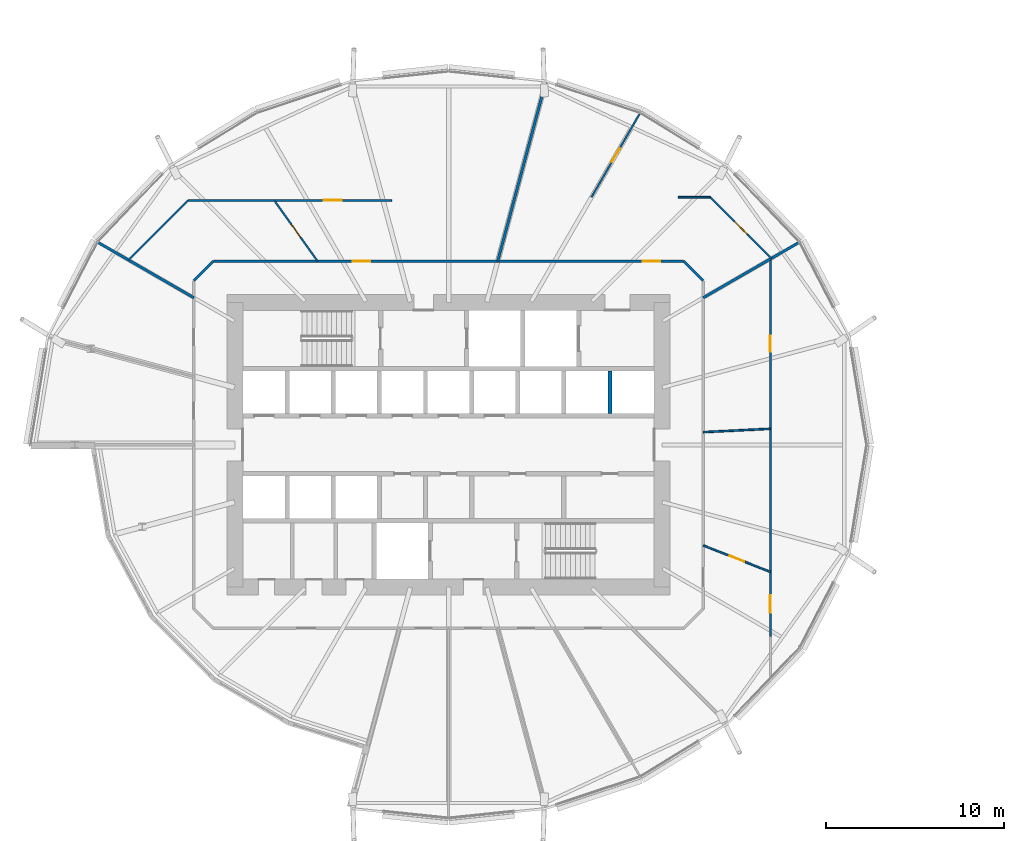
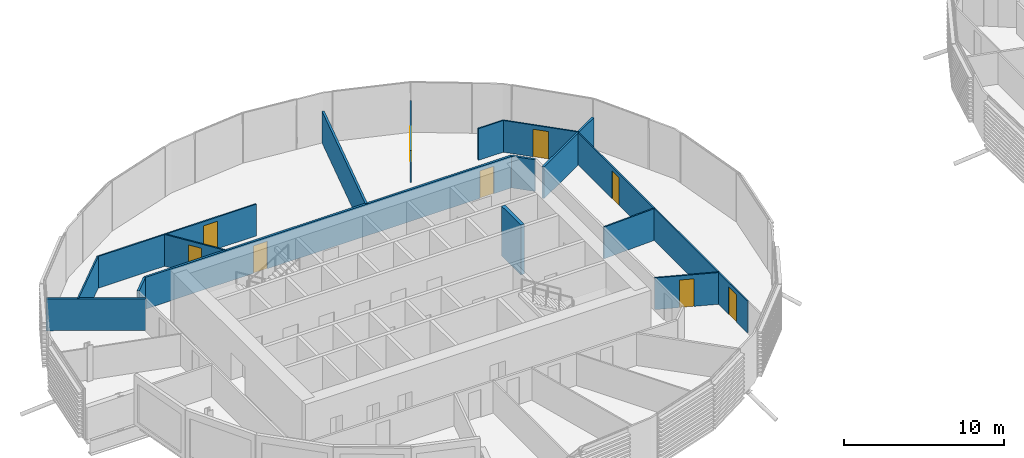
# One storey, part 22 of 38: 16 walls, 9 doors, 9 openings.
"""IFC4 building model written with IfcOpenShell, lengths in metres."""

from ifc_helpers import new_model, si_unit, direction, frame, frame_2d, origin, place, context, subcontext, project, spatial, rectangle, extrude, material, layer, layer_set, type_object, element, fill, save


model = new_model("IFC4")

# Units and contexts
model_context = context("Model", 3, precision=1e-05, world=origin(), true_north=direction((0.0, 1.0)))
body_context = subcontext(model_context, "Body", "Model", "MODEL_VIEW")
ifc_project = project(units=[si_unit("LENGTHUNIT", "METRE"), si_unit("AREAUNIT", "SQUARE_METRE"), si_unit("VOLUMEUNIT", "CUBIC_METRE"), si_unit("PLANEANGLEUNIT", "RADIAN"), si_unit("MASSUNIT", "GRAM", prefix="KILO")], contexts=[model_context])

# Site, building, storey
site_placement = place(None, origin())
site = spatial("IfcSite", under=ifc_project, at=site_placement, CompositionType="ELEMENT")
building_placement = place(site_placement, origin())
building = spatial("IfcBuilding", under=site, at=building_placement, Name="Rimbun Link Towers", CompositionType="ELEMENT")
storey_placement = place(building_placement, frame((0.0, 0.0, 68.0)))
storey = spatial("IfcBuildingStorey", under=building, at=storey_placement, Name="L16", CompositionType="ELEMENT", Elevation=68.0)

# Wall, openings, doors
ifc_material_1 = material(Name="Plasterboard on steel stud, mineral wool", Category="steel")
ifc_layer_1 = layer(ifc_material_1, 0.14990234375)
ifc_layer_set_1 = layer_set([ifc_layer_1], Name="Corridor wall EI 30 150 mm")
wall_type_1 = type_object("IfcWallType", Name="Corridor wall EI 30 150 mm", PredefinedType="PARTITIONING", material=ifc_layer_set_1)
wall_1_placement = place(storey_placement, frame((-44.976806640625, 10.324951171875, 0.0), z_axis=(0.0, 0.0, 1.0), x_axis=(1.0, 0.0, 0.0)))
wall_1 = element("IfcWall", 1, at=wall_1_placement, inside=storey, type_object=wall_type_1, Name="Corridor wall EI 30 150 mm", PredefinedType="PARTITIONING", context=body_context, shape_type="SweptSolid", body=[
    extrude(rectangle(XDim=26.45361328125, YDim=0.14990234375, at=frame_2d((13.226806640625, 0.0))), origin(), (0.0, 0.0, 1.0), 2.419921875),
])
opening_1_placement = place(wall_1_placement, frame((24.140380859375, 0.0, 0.0)))
opening_1 = element("IfcOpeningElement", 2, at=opening_1_placement, cuts=wall_1, Name="Opening D01", PredefinedType="OPENING", context=body_context, shape_type="SweptSolid", body=[
    extrude(rectangle(XDim=1.0, YDim=2.10009765625, at=frame_2d((0.5, 1.050048828125))), frame((0.0, 0.0849609375, 0.0), z_axis=(0.0, -1.0, 0.0), x_axis=(1.0, 0.0, 0.0)), (0.0, 0.0, 1.0), 0.169921875),
])
opening_2_placement = place(wall_1_placement, frame((7.8291015625, 0.0, 0.0)))
opening_2 = element("IfcOpeningElement", 3, at=opening_2_placement, cuts=wall_1, Name="Opening D01", PredefinedType="OPENING", context=body_context, shape_type="SweptSolid", body=[
    extrude(rectangle(XDim=1.0, YDim=2.10009765625, at=frame_2d((0.5, 1.050048828125))), frame((0.0, 0.0849609375, 0.0), z_axis=(0.0, -1.0, 0.0), x_axis=(1.0, 0.0, 0.0)), (0.0, 0.0, 1.0), 0.169921875),
])
ifc_material_2 = material(Name="Fire-resisting timber door leaf", Category="wood")
door_type_1 = type_object("IfcDoorType", Name="Fire door FD30S 1000", OperationType="NOTDEFINED", PredefinedType="DOOR", material=ifc_material_2)
door_1_placement = place(opening_1_placement, origin())
door_1 = element("IfcDoor", 4, at=door_1_placement, inside=storey, type_object=door_type_1, Name="Fire door FD30S 1000 to Reception", OperationType="SINGLE_SWING_RIGHT", OverallHeight=2.10009765625, OverallWidth=1.0, PredefinedType="DOOR", context=body_context, shape_type="SweptSolid", body=[
    extrude(rectangle(XDim=1.0, YDim=2.10009765625, at=frame_2d((0.5, 1.050048828125))), frame((0.0, 0.02490234375, 0.0), z_axis=(0.0, -1.0, 0.0), x_axis=(1.0, 0.0, 0.0)), (0.0, 0.0, 1.0), 0.050048828125),
])
fill(opening_1, door_1)
door_2_placement = place(opening_2_placement, origin())
door_2 = element("IfcDoor", 5, at=door_2_placement, inside=storey, type_object=door_type_1, Name="Fire door FD30S 1000 to Reception", OperationType="SINGLE_SWING_LEFT", OverallHeight=2.10009765625, OverallWidth=1.0, PredefinedType="DOOR", context=body_context, shape_type="SweptSolid", body=[
    extrude(rectangle(XDim=1.0, YDim=2.10009765625, at=frame_2d((0.5, 1.050048828125))), frame((0.0, 0.02490234375, 0.0), z_axis=(0.0, -1.0, 0.0), x_axis=(1.0, 0.0, 0.0)), (0.0, 0.0, 1.0), 0.050048828125),
])
fill(opening_2, door_2)

# Walls
for number, where, z_axis, x_axis, name in (
    (6, (-17.425048828125, 9.226806640625, 0.0), (0.0, 0.0, 1.0), (-0.707106781187, 0.707106781187, 0.0), "Corridor wall EI 30 150 mm"),
    (7, (-44.976806640625, 10.324951171875, 0.0), (0.0, 0.0, 1.0), (-0.707106781187, -0.707106781187, 0.0), "Corridor wall EI 30 150 mm"),
):
    element("IfcWall", number, at=place(storey_placement, frame(where, z_axis=z_axis, x_axis=x_axis)), inside=storey, type_object=wall_type_1, Name=name, PredefinedType="PARTITIONING", context=body_context, shape_type="SweptSolid", body=[
        extrude(rectangle(XDim=1.552978515625, YDim=0.14990234375, at=frame_2d((0.7763671875, 0.0))), origin(), (0.0, 0.0, 1.0), 2.419921875),
    ])

# Wall, opening, door
ifc_material_3 = material(Name="Plasterboard on steel stud", Category="steel")
ifc_layer_2 = layer(ifc_material_3, 0.10009765625)
ifc_layer_set_2 = layer_set([ifc_layer_2], Name="Plasterboard partition 100 mm")
wall_type_2 = type_object("IfcWallType", Name="Plasterboard partition 100 mm", PredefinedType="PARTITIONING", material=ifc_layer_set_2)
wall_2_placement = place(storey_placement, frame((-17.425048828125, -5.65966796875, 0.0), z_axis=(0.0, 0.0, 1.0), x_axis=(0.930046668, -0.367441417565, 0.0)))
wall_2 = element("IfcWall", 8, at=wall_2_placement, inside=storey, type_object=wall_type_2, Name="Plasterboard partition 100 mm", PredefinedType="PARTITIONING", context=body_context, shape_type="SweptSolid", body=[
    extrude(rectangle(XDim=4.064453125, YDim=0.10009765625, at=frame_2d((2.0322265625, 0.0))), origin(), (0.0, 0.0, 1.0), 2.419921875),
])
opening_3_placement = place(wall_2_placement, frame((1.582275390625, 0.0, 0.0)))
opening_3 = element("IfcOpeningElement", 9, at=opening_3_placement, cuts=wall_2, Name="Opening D04", PredefinedType="OPENING", context=body_context, shape_type="SweptSolid", body=[
    extrude(rectangle(XDim=0.89990234375, YDim=2.10009765625, at=frame_2d((0.449951171875, 1.050048828125))), frame((0.0, 0.06005859375, 0.0), z_axis=(0.0, -1.0, 0.0), x_axis=(1.0, 0.0, 0.0)), (0.0, 0.0, 1.0), 0.1201171875),
])
ifc_material_4 = material(Name="Timber door leaf", Category="wood")
door_type_2 = type_object("IfcDoorType", Name="Flush door 900", OperationType="NOTDEFINED", PredefinedType="DOOR", material=ifc_material_4)
door_3_placement = place(opening_3_placement, origin())
door_3 = element("IfcDoor", 10, at=door_3_placement, inside=storey, type_object=door_type_2, Name="Flush door 900 to Interview room", OperationType="SINGLE_SWING_LEFT", OverallHeight=2.10009765625, OverallWidth=0.89990234375, PredefinedType="DOOR", context=body_context, shape_type="SweptSolid", body=[
    extrude(rectangle(XDim=0.89990234375, YDim=2.10009765625, at=frame_2d((0.449951171875, 1.050048828125))), frame((0.0, 0.02490234375, 0.0), z_axis=(0.0, -1.0, 0.0), x_axis=(1.0, 0.0, 0.0)), (0.0, 0.0, 1.0), 0.050048828125),
])
fill(opening_3, door_3)

# Wall, openings, doors
wall_3_placement = place(storey_placement, frame((-13.64501953125, 10.452880859375, 0.0), z_axis=(0.0, 0.0, 1.0), x_axis=(0.0, -1.0, 0.0)))
wall_3 = element("IfcWall", 11, at=wall_3_placement, inside=storey, type_object=wall_type_2, Name="Plasterboard partition 100 mm", PredefinedType="PARTITIONING", context=body_context, shape_type="SweptSolid", body=[
    extrude(rectangle(XDim=21.245361328125, YDim=0.10009765625, at=frame_2d((10.62255859375, 0.0))), origin(), (0.0, 0.0, 1.0), 2.419921875),
])
opening_4_placement = place(wall_3_placement, frame((18.909423828125, 0.0, 0.0)))
opening_4 = element("IfcOpeningElement", 12, at=opening_4_placement, cuts=wall_3, Name="Opening D03", PredefinedType="OPENING", context=body_context, shape_type="SweptSolid", body=[
    extrude(rectangle(XDim=1.0, YDim=2.10009765625, at=frame_2d((0.5, 1.050048828125))), frame((0.0, 0.06005859375, 0.0), z_axis=(0.0, -1.0, 0.0), x_axis=(1.0, 0.0, 0.0)), (0.0, 0.0, 1.0), 0.1201171875),
])
opening_5_placement = place(wall_3_placement, frame((4.32666015625, 0.0, 0.0)))
opening_5 = element("IfcOpeningElement", 13, at=opening_5_placement, cuts=wall_3, Name="Opening D04", PredefinedType="OPENING", context=body_context, shape_type="SweptSolid", body=[
    extrude(rectangle(XDim=0.89990234375, YDim=2.10009765625, at=frame_2d((0.449951171875, 1.050048828125))), frame((0.0, 0.06005859375, 0.0), z_axis=(0.0, -1.0, 0.0), x_axis=(1.0, 0.0, 0.0)), (0.0, 0.0, 1.0), 0.1201171875),
])
ifc_material_5 = material(Name="Timber door leaf", Category="wood")
door_type_3 = type_object("IfcDoorType", Name="Flush door 1000", OperationType="NOTDEFINED", PredefinedType="DOOR", material=ifc_material_5)
door_4_placement = place(opening_4_placement, origin())
door_4 = element("IfcDoor", 14, at=door_4_placement, inside=storey, type_object=door_type_3, Name="Flush door 1000 to Banking hall", OperationType="SINGLE_SWING_RIGHT", OverallHeight=2.10009765625, OverallWidth=1.0, PredefinedType="DOOR", context=body_context, shape_type="SweptSolid", body=[
    extrude(rectangle(XDim=1.0, YDim=2.10009765625, at=frame_2d((0.5, 1.050048828125))), frame((0.0, 0.02490234375, 0.0), z_axis=(0.0, -1.0, 0.0), x_axis=(1.0, 0.0, 0.0)), (0.0, 0.0, 1.0), 0.050048828125),
])
fill(opening_4, door_4)
door_5_placement = place(opening_5_placement, origin())
door_5 = element("IfcDoor", 15, at=door_5_placement, inside=storey, type_object=door_type_2, Name="Flush door 900 to Strong room", OperationType="SINGLE_SWING_LEFT", OverallHeight=2.10009765625, OverallWidth=0.89990234375, PredefinedType="DOOR", context=body_context, shape_type="SweptSolid", body=[
    extrude(rectangle(XDim=0.89990234375, YDim=2.10009765625, at=frame_2d((0.449951171875, 1.050048828125))), frame((0.0, 0.02490234375, 0.0), z_axis=(0.0, -1.0, 0.0), x_axis=(1.0, 0.0, 0.0)), (0.0, 0.0, 1.0), 0.050048828125),
])
fill(opening_5, door_5)

# Wall
wall_4_placement = place(storey_placement, frame((-13.64501953125, 0.899658203125, 0.0), z_axis=(0.0, 0.0, 1.0), x_axis=(-0.998768853147, -0.049606229288, 0.0)))
element("IfcWall", 16, at=wall_4_placement, inside=storey, type_object=wall_type_2, Name="Plasterboard partition 100 mm", PredefinedType="PARTITIONING", context=body_context, shape_type="SweptSolid", body=[
    extrude(rectangle(XDim=3.78466796875, YDim=0.10009765625, at=frame_2d((1.892333984375, 0.0))), origin(), (0.0, 0.0, 1.0), 2.419921875),
])

# Wall, opening, door
wall_5_placement = place(storey_placement, frame((-17.0322265625, 13.925048828125, 0.0), z_axis=(0.0, 0.0, 1.0), x_axis=(0.707081696248, -0.707131865235, 0.0)))
wall_5 = element("IfcWall", 17, at=wall_5_placement, inside=storey, type_object=wall_type_2, Name="Plasterboard partition 100 mm", PredefinedType="PARTITIONING", context=body_context, shape_type="SweptSolid", body=[
    extrude(rectangle(XDim=4.866455078125, YDim=0.10009765625, at=frame_2d((2.43310546875, 0.0))), origin(), (0.0, 0.0, 1.0), 2.419921875),
])
opening_6_placement = place(wall_5_placement, frame((1.93310546875, 0.0, 0.0)))
opening_6 = element("IfcOpeningElement", 18, at=opening_6_placement, cuts=wall_5, Name="Opening D03", PredefinedType="OPENING", context=body_context, shape_type="SweptSolid", body=[
    extrude(rectangle(XDim=1.0, YDim=2.10009765625, at=frame_2d((0.5, 1.050048828125))), frame((0.0, 0.06005859375, 0.0), z_axis=(0.0, -1.0, 0.0), x_axis=(1.0, 0.0, 0.0)), (0.0, 0.0, 1.0), 0.1201171875),
])
door_6_placement = place(opening_6_placement, origin())
door_6 = element("IfcDoor", 19, at=door_6_placement, inside=storey, type_object=door_type_3, Name="Flush door 1000 to Co-working space", OperationType="SINGLE_SWING_LEFT", OverallHeight=2.10009765625, OverallWidth=1.0, PredefinedType="DOOR", context=body_context, shape_type="SweptSolid", body=[
    extrude(rectangle(XDim=1.0, YDim=2.10009765625, at=frame_2d((0.5, 1.050048828125))), frame((0.0, 0.02490234375, 0.0), z_axis=(0.0, -1.0, 0.0), x_axis=(1.0, 0.0, 0.0)), (0.0, 0.0, 1.0), 0.050048828125),
])
fill(opening_6, door_6)

# Wall
wall_6_placement = place(storey_placement, frame((-17.0322265625, 13.925048828125, 0.0), z_axis=(0.0, 0.0, 1.0), x_axis=(-1.0, 0.0, 0.0)))
element("IfcWall", 20, at=wall_6_placement, inside=storey, type_object=wall_type_2, Name="Plasterboard partition 100 mm", PredefinedType="PARTITIONING", context=body_context, shape_type="SweptSolid", body=[
    extrude(rectangle(XDim=1.810546875, YDim=0.10009765625, at=frame_2d((0.9052734375, 0.0))), origin(), (0.0, 0.0, 1.0), 2.419921875),
])

# Wall, opening, door
wall_7_placement = place(storey_placement, frame((-23.71044921875, 13.925048828125, 0.0), z_axis=(0.0, 0.0, 1.0), x_axis=(0.499997733992, 0.866026712061, 0.0)))
wall_7 = element("IfcWall", 21, at=wall_7_placement, inside=storey, type_object=wall_type_2, Name="Plasterboard partition 100 mm", PredefinedType="PARTITIONING", context=body_context, shape_type="SweptSolid", body=[
    extrude(rectangle(XDim=5.45068359375, YDim=0.10009765625, at=frame_2d((2.725341796875, 0.0))), origin(), (0.0, 0.0, 1.0), 2.419921875),
])
opening_7_placement = place(wall_7_placement, frame((2.275390625, 0.0, 0.0)))
opening_7 = element("IfcOpeningElement", 22, at=opening_7_placement, cuts=wall_7, Name="Opening D04", PredefinedType="OPENING", context=body_context, shape_type="SweptSolid", body=[
    extrude(rectangle(XDim=0.89990234375, YDim=2.10009765625, at=frame_2d((0.449951171875, 1.050048828125))), frame((0.0, 0.06005859375, 0.0), z_axis=(0.0, -1.0, 0.0), x_axis=(1.0, 0.0, 0.0)), (0.0, 0.0, 1.0), 0.1201171875),
])
door_7_placement = place(opening_7_placement, origin())
door_7 = element("IfcDoor", 23, at=door_7_placement, inside=storey, type_object=door_type_2, Name="Flush door 900 to Serviced office", OperationType="SINGLE_SWING_RIGHT", OverallHeight=2.10009765625, OverallWidth=0.89990234375, PredefinedType="DOOR", context=body_context, shape_type="SweptSolid", body=[
    extrude(rectangle(XDim=0.89990234375, YDim=2.10009765625, at=frame_2d((0.449951171875, 1.050048828125))), frame((0.0, 0.02490234375, 0.0), z_axis=(0.0, -1.0, 0.0), x_axis=(1.0, 0.0, 0.0)), (0.0, 0.0, 1.0), 0.050048828125),
])
fill(opening_7, door_7)

wall_8_placement = place(storey_placement, frame((-39.114013671875, 10.324951171875, 0.0), z_axis=(0.0, 0.0, 1.0), x_axis=(-0.580605781108, 0.814184823578, 0.0)))
wall_8 = element("IfcWall", 24, at=wall_8_placement, inside=storey, type_object=wall_type_2, Name="Plasterboard partition 100 mm", PredefinedType="PARTITIONING", context=body_context, shape_type="SweptSolid", body=[
    extrude(rectangle(XDim=4.20068359375, YDim=0.10009765625, at=frame_2d((2.100341796875, 0.0))), origin(), (0.0, 0.0, 1.0), 2.419921875),
])
opening_8_placement = place(wall_8_placement, frame((1.650390625, 0.0, 0.0)))
opening_8 = element("IfcOpeningElement", 25, at=opening_8_placement, cuts=wall_8, Name="Opening D04", PredefinedType="OPENING", context=body_context, shape_type="SweptSolid", body=[
    extrude(rectangle(XDim=0.89990234375, YDim=2.10009765625, at=frame_2d((0.449951171875, 1.050048828125))), frame((0.0, 0.06005859375, 0.0), z_axis=(0.0, -1.0, 0.0), x_axis=(1.0, 0.0, 0.0)), (0.0, 0.0, 1.0), 0.1201171875),
])
door_8_placement = place(opening_8_placement, origin())
door_8 = element("IfcDoor", 26, at=door_8_placement, inside=storey, type_object=door_type_2, Name="Flush door 900 to Meeting room", OperationType="SINGLE_SWING_LEFT", OverallHeight=2.10009765625, OverallWidth=0.89990234375, PredefinedType="DOOR", context=body_context, shape_type="SweptSolid", body=[
    extrude(rectangle(XDim=0.89990234375, YDim=2.10009765625, at=frame_2d((0.449951171875, 1.050048828125))), frame((0.0, 0.02490234375, 0.0), z_axis=(0.0, -1.0, 0.0), x_axis=(1.0, 0.0, 0.0)), (0.0, 0.0, 1.0), 0.050048828125),
])
fill(opening_8, door_8)

wall_9_placement = place(storey_placement, frame((-46.393310546875, 13.7451171875, 0.0), z_axis=(0.0, 0.0, 1.0), x_axis=(1.0, 0.0, 0.0)))
wall_9 = element("IfcWall", 27, at=wall_9_placement, inside=storey, type_object=wall_type_2, Name="Plasterboard partition 100 mm", PredefinedType="PARTITIONING", context=body_context, shape_type="SweptSolid", body=[
    extrude(rectangle(XDim=11.43701171875, YDim=0.10009765625, at=frame_2d((5.718505859375, 0.0))), origin(), (0.0, 0.0, 1.0), 2.419921875),
])
opening_9_placement = place(wall_9_placement, frame((7.623779296875, 0.0, 0.0)))
opening_9 = element("IfcOpeningElement", 28, at=opening_9_placement, cuts=wall_9, Name="Opening D03", PredefinedType="OPENING", context=body_context, shape_type="SweptSolid", body=[
    extrude(rectangle(XDim=1.0, YDim=2.10009765625, at=frame_2d((0.5, 1.050048828125))), frame((0.0, 0.06005859375, 0.0), z_axis=(0.0, -1.0, 0.0), x_axis=(1.0, 0.0, 0.0)), (0.0, 0.0, 1.0), 0.1201171875),
])
door_9_placement = place(opening_9_placement, origin())
door_9 = element("IfcDoor", 29, at=door_9_placement, inside=storey, type_object=door_type_3, Name="Flush door 1000 to Open office", OperationType="SINGLE_SWING_RIGHT", OverallHeight=2.10009765625, OverallWidth=1.0, PredefinedType="DOOR", context=body_context, shape_type="SweptSolid", body=[
    extrude(rectangle(XDim=1.0, YDim=2.10009765625, at=frame_2d((0.5, 1.050048828125))), frame((0.0, 0.02490234375, 0.0), z_axis=(0.0, -1.0, 0.0), x_axis=(1.0, 0.0, 0.0)), (0.0, 0.0, 1.0), 0.050048828125),
])
fill(opening_9, door_9)

# Walls
wall_10_placement = place(storey_placement, frame((-46.393310546875, 13.7451171875, 0.0), z_axis=(0.0, 0.0, 1.0), x_axis=(-0.707081046221, -0.707132515215, 0.0)))
element("IfcWall", 30, at=wall_10_placement, inside=storey, type_object=wall_type_2, Name="Plasterboard partition 100 mm", PredefinedType="PARTITIONING", context=body_context, shape_type="SweptSolid", body=[
    extrude(rectangle(XDim=4.743408203125, YDim=0.10009765625, at=frame_2d((2.37158203125, 0.0))), origin(), (0.0, 0.0, 1.0), 2.419921875),
])
ifc_material_6 = material(Name="Concrete C60/75", Category="concrete")
ifc_layer_3 = layer(ifc_material_6, 0.25)
ifc_layer_set_3 = layer_set([ifc_layer_3], Name="Shaft wall 250")
wall_type_3 = type_object("IfcWallType", Name="Shaft wall 250", PredefinedType="SHEAR", material=ifc_layer_set_3)
wall_11_placement = place(storey_placement, frame((-22.66943359375, 1.75, 0.0), z_axis=(0.0, 0.0, 1.0), x_axis=(0.0, 1.0, 0.0)))
element("IfcWall", 31, at=wall_11_placement, inside=storey, type_object=wall_type_3, Name="L16 T1 core wall DN7", PredefinedType="SHEAR", context=body_context, shape_type="SweptSolid", body=[
    extrude(rectangle(XDim=2.39990234375, YDim=0.25, at=frame_2d((1.199951171875, 0.0))), origin(), (0.0, 0.0, 1.0), 3.800048828125),
])
ifc_material_7 = material(Name="Plasterboard on steel stud, mineral wool", Category="steel")
ifc_layer_4 = layer(ifc_material_7, 0.14990234375)
ifc_layer_set_4 = layer_set([ifc_layer_4], Name="Tenancy separation wall EI 60 150 mm")
wall_type_4 = type_object("IfcWallType", Name="Tenancy separation wall EI 60 150 mm", PredefinedType="PARTITIONING", material=ifc_layer_set_4)
wall_12_placement = place(storey_placement, frame((-17.425048828125, 8.2705078125, 0.0), z_axis=(0.0, 0.0, 1.0), x_axis=(0.866036385336, 0.499980978912, 0.0)))
element("IfcWall", 32, at=wall_12_placement, inside=storey, type_object=wall_type_4, Name="Tenancy separation wall EI 60 150 mm", PredefinedType="PARTITIONING", context=body_context, shape_type="SweptSolid", body=[
    extrude(rectangle(XDim=6.239990234375, YDim=0.14990234375, at=frame_2d((3.1201171875, 0.0))), origin(), (0.0, 0.0, 1.0), 2.419921875),
])
wall_13_placement = place(storey_placement, frame((-28.9833984375, 10.324951171875, 0.0), z_axis=(0.0, 0.0, 1.0), x_axis=(0.258817581696, 0.965926218406, 0.0)))
element("IfcWall", 33, at=wall_13_placement, inside=storey, type_object=wall_type_4, Name="Tenancy separation wall EI 60 150 mm", PredefinedType="PARTITIONING", context=body_context, shape_type="SweptSolid", body=[
    extrude(rectangle(XDim=10.431884765625, YDim=0.14990234375, at=frame_2d((5.2158203125, 0.0))), origin(), (0.0, 0.0, 1.0), 2.419921875),
])
wall_14_placement = place(storey_placement, frame((-46.074951171875, 8.2705078125, 0.0), z_axis=(0.0, 0.0, 1.0), x_axis=(-0.866036385336, 0.499980978912, 0.0)))
element("IfcWall", 34, at=wall_14_placement, inside=storey, type_object=wall_type_4, Name="Tenancy separation wall EI 60 150 mm", PredefinedType="PARTITIONING", context=body_context, shape_type="SweptSolid", body=[
    extrude(rectangle(XDim=6.239990234375, YDim=0.14990234375, at=frame_2d((3.1201171875, 0.0))), origin(), (0.0, 0.0, 1.0), 2.419921875),
])

save(model, "model.ifc")
